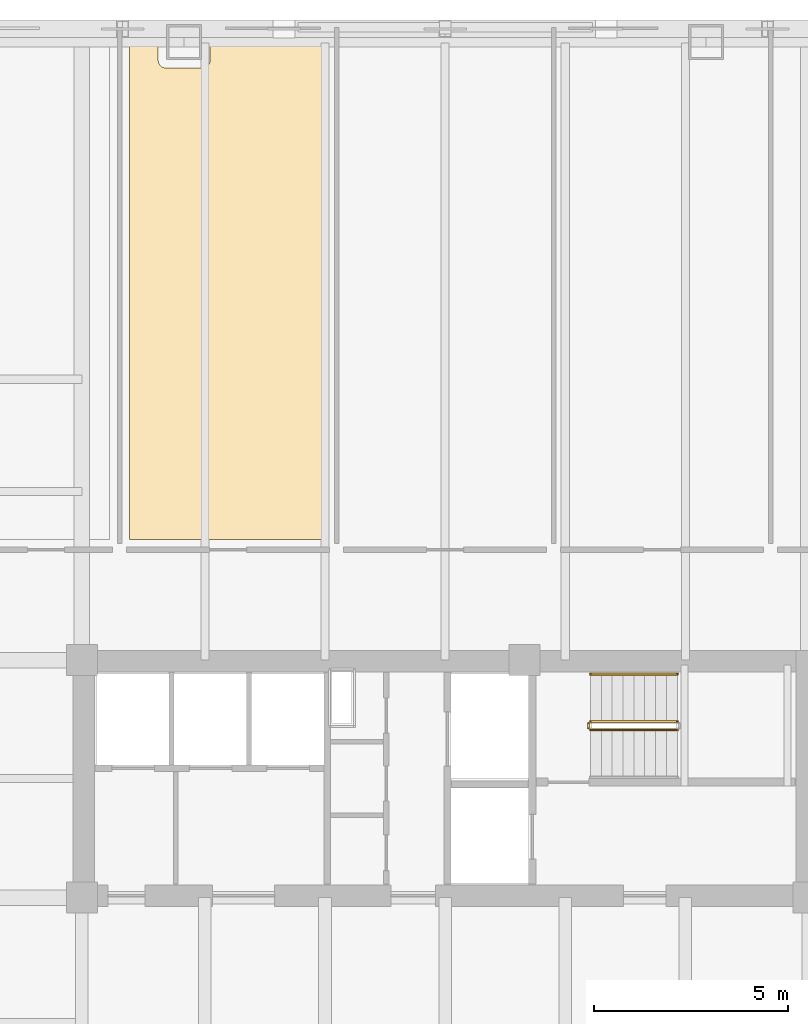
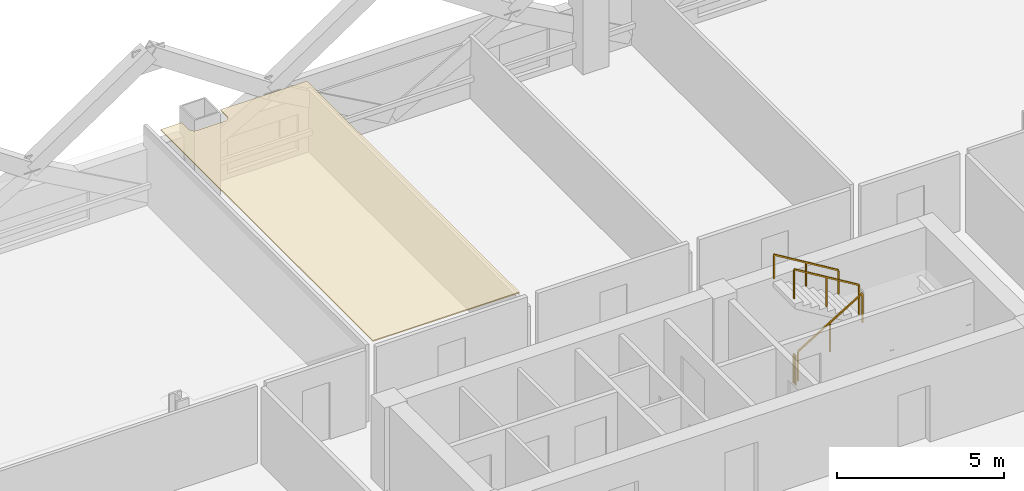
# One storey, part 12 of 14: 4 railings, 1 covering.
"""IFC4 building model written with IfcOpenShell, lengths in metres."""

from ifc_helpers import new_model, si_unit, direction, frame, origin, origin_2d, place, context, subcontext, project, spatial, polyline, rectangle, outline, extrude, material, layer, layer_set, type_object, element, save


model = new_model("IFC4")

# Units and contexts
model_context = context("Model", 3, precision=1e-05, world=origin(), true_north=direction((0.0, 1.0)))
body_context = subcontext(model_context, "Body", "Model", "MODEL_VIEW")
ifc_project = project(units=[si_unit("LENGTHUNIT", "METRE"), si_unit("AREAUNIT", "SQUARE_METRE"), si_unit("VOLUMEUNIT", "CUBIC_METRE"), si_unit("PLANEANGLEUNIT", "RADIAN"), si_unit("MASSUNIT", "GRAM", prefix="KILO")], contexts=[model_context])

# Site, building, storey
site_placement = place(None, origin())
site = spatial("IfcSite", under=ifc_project, at=site_placement, CompositionType="ELEMENT")
building_placement = place(site_placement, origin())
building = spatial("IfcBuilding", under=site, at=building_placement, Name="Qhalaya Broadcast Tower", CompositionType="ELEMENT")
storey_placement = place(building_placement, frame((0.0, 0.0, 38.300048828125)))
storey = spatial("IfcBuildingStorey", under=building, at=storey_placement, Name="L10", CompositionType="ELEMENT", Elevation=38.300048828125)

# Covering
ifc_material_1 = material(Name="Acoustic Mineral-Fibre Ceiling")
ifc_layer = layer(ifc_material_1, 0.0400390625, Name="Acoustic Mineral-Fibre Ceiling")
ifc_layer_set = layer_set([ifc_layer], Name="Acoustic Mineral-Fibre Ceiling")
covering_type = type_object("IfcCoveringType", Name="Acoustic Mineral-Fibre Suspended Ceiling CLG-01", PredefinedType="CEILING", material=ifc_layer_set)
covering_placement = place(storey_placement, frame((0.0, 0.0, 2.7900390625)))
element("IfcCovering", 1, at=covering_placement, inside=storey, type_object=covering_type, Name="L10 Acoustic Suspended Ceiling 02", PredefinedType="CEILING", context=body_context, shape_type="SweptSolid", body=[
    extrude(outline(polyline([(-8.139892578125, 25.820068359375), (-8.139892578125, 13.06005859375), (-3.06005859375, 13.06005859375), (-3.06005859375, 25.820068359375), (-6.063232421875, 25.820068359375), (-6.063232421875, 25.429931640625), (-6.064208984375, 25.410400390625), (-6.067138671875, 25.39111328125), (-6.072021484375, 25.371826171875), (-6.07861328125, 25.353515625), (-6.0869140625, 25.335693359375), (-6.096923828125, 25.31884765625), (-6.108642578125, 25.302978515625), (-6.121826171875, 25.28857421875), (-6.136474609375, 25.275390625), (-6.152099609375, 25.263671875), (-6.1689453125, 25.253662109375), (-6.186767578125, 25.2451171875), (-6.205078125, 25.238525390625), (-6.224365234375, 25.23388671875), (-6.24365234375, 25.23095703125), (-6.26318359375, 25.22998046875), (-7.203369140625, 25.22998046875), (-7.222900390625, 25.23095703125), (-7.2421875, 25.23388671875), (-7.261474609375, 25.238525390625), (-7.27978515625, 25.2451171875), (-7.297607421875, 25.253662109375), (-7.314453125, 25.263671875), (-7.330078125, 25.275390625), (-7.3447265625, 25.28857421875), (-7.35791015625, 25.302978515625), (-7.36962890625, 25.31884765625), (-7.379638671875, 25.335693359375), (-7.38818359375, 25.353515625), (-7.394775390625, 25.371826171875), (-7.3994140625, 25.39111328125), (-7.40234375, 25.410400390625), (-7.4033203125, 25.429931640625), (-7.4033203125, 25.820068359375), (-8.139892578125, 25.820068359375)])), origin(), (0.0, 0.0, 1.0), 0.039794921875),
])

# Railings
ifc_material_2 = material(Name="Powder-Coated Galvanised Steel", Category="steel")
railing_type_1 = type_object("IfcRailingType", Name="Stair Wall Handrail 900", PredefinedType="HANDRAIL", material=ifc_material_2)
railing_1_placement = place(storey_placement, frame((5.989990234375, 9.590087890625, 1.6943359375)))
element("IfcRailing", 2, at=railing_1_placement, inside=storey, type_object=railing_type_1, Name="L10 ST-1 Stair Handrail 2", PredefinedType="HANDRAIL", context=body_context, shape_type="SweptSolid", body=[
    extrude(rectangle(XDim=0.048095703125, YDim=0.048095703125, at=origin_2d()), frame((0.0, 0.0, 0.8759765625), z_axis=(-0.855512035549, 0.0, 0.517782924622), x_axis=(0.0, -1.0, 0.0)), (0.0, 0.0, 1.0), 2.618408203125),
    extrude(rectangle(XDim=0.0419921875, YDim=0.0419921875, at=origin_2d()), origin(), (0.0, 0.0, 1.0), 0.849853515625),
    extrude(rectangle(XDim=0.0419921875, YDim=0.0419921875, at=origin_2d()), frame((-1.1201171875, 0.0, 0.677734375)), (0.0, 0.0, 1.0), 0.849853515625),
    extrude(rectangle(XDim=0.0419921875, YDim=0.0419921875, at=origin_2d()), frame((-2.239990234375, 0.0, 1.355712890625)), (0.0, 0.0, 1.0), 0.849853515625),
])
railing_type_2 = type_object("IfcRailingType", Name="Stair Well & Landing Guardrail 1100", PredefinedType="GUARDRAIL", material=ifc_material_2)
railing_2_placement = place(storey_placement, frame((3.75, 8.14990234375, 0.16943359375)))
element("IfcRailing", 3, at=railing_2_placement, inside=storey, type_object=railing_type_2, Name="L10 ST-1 Stair Guard 1", PredefinedType="GUARDRAIL", context=body_context, shape_type="SweptSolid", body=[
    extrude(rectangle(XDim=0.048095703125, YDim=0.048095703125, at=origin_2d()), frame((0.0, 0.0, 1.076171875), z_axis=(0.855553338991, 0.0, 0.51771467445), x_axis=(0.0, 1.0, 0.0)), (0.0, 0.0, 1.0), 2.6181640625),
    extrude(rectangle(XDim=0.0419921875, YDim=0.0419921875, at=origin_2d()), origin(), (0.0, 0.0, 1.0), 1.050048828125),
    extrude(rectangle(XDim=0.0419921875, YDim=0.0419921875, at=origin_2d()), frame((1.1201171875, 0.0, 0.677734375)), (0.0, 0.0, 1.0), 1.050048828125),
    extrude(rectangle(XDim=0.0419921875, YDim=0.0419921875, at=origin_2d()), frame((2.239990234375, 0.0, 1.35546875)), (0.0, 0.0, 1.0), 1.050048828125),
])
railing_3_placement = place(storey_placement, frame((5.989990234375, 8.3701171875, 1.6943359375)))
element("IfcRailing", 4, at=railing_3_placement, inside=storey, type_object=railing_type_2, Name="L10 ST-1 Stair Guard 3", PredefinedType="GUARDRAIL", context=body_context, shape_type="SweptSolid", body=[
    extrude(rectangle(XDim=0.048095703125, YDim=0.048095703125, at=origin_2d()), frame((0.0, 0.0, 1.076171875), z_axis=(-0.855512035549, 0.0, 0.517782924622), x_axis=(0.0, -1.0, 0.0)), (0.0, 0.0, 1.0), 2.618408203125),
    extrude(rectangle(XDim=0.0419921875, YDim=0.0419921875, at=origin_2d()), origin(), (0.0, 0.0, 1.0), 1.050048828125),
    extrude(rectangle(XDim=0.0419921875, YDim=0.0419921875, at=origin_2d()), frame((-1.1201171875, 0.0, 0.677734375)), (0.0, 0.0, 1.0), 1.050048828125),
    extrude(rectangle(XDim=0.0419921875, YDim=0.0419921875, at=origin_2d()), frame((-2.239990234375, 0.0, 1.355712890625)), (0.0, 0.0, 1.0), 1.050048828125),
])
railing_4_placement = place(storey_placement, frame((3.699951171875, 8.199951171875, 0.0)))
element("IfcRailing", 5, at=railing_4_placement, inside=storey, type_object=railing_type_2, Name="L10 ST-1 Stair Guard 4", PredefinedType="GUARDRAIL", context=body_context, shape_type="SweptSolid", body=[
    extrude(rectangle(XDim=0.048095703125, YDim=0.048095703125, at=origin_2d()), frame((0.0, 0.0, 1.076171875), z_axis=(0.0, 1.0, 0.0), x_axis=(-1.0, 0.0, 0.0)), (0.0, 0.0, 1.0), 0.1201171875),
    extrude(rectangle(XDim=0.0419921875, YDim=0.0419921875, at=origin_2d()), origin(), (0.0, 0.0, 1.0), 1.050048828125),
    extrude(rectangle(XDim=0.0419921875, YDim=0.0419921875, at=origin_2d()), frame((0.0, 0.1201171875, 0.0)), (0.0, 0.0, 1.0), 1.050048828125),
])

save(model, "model.ifc")
